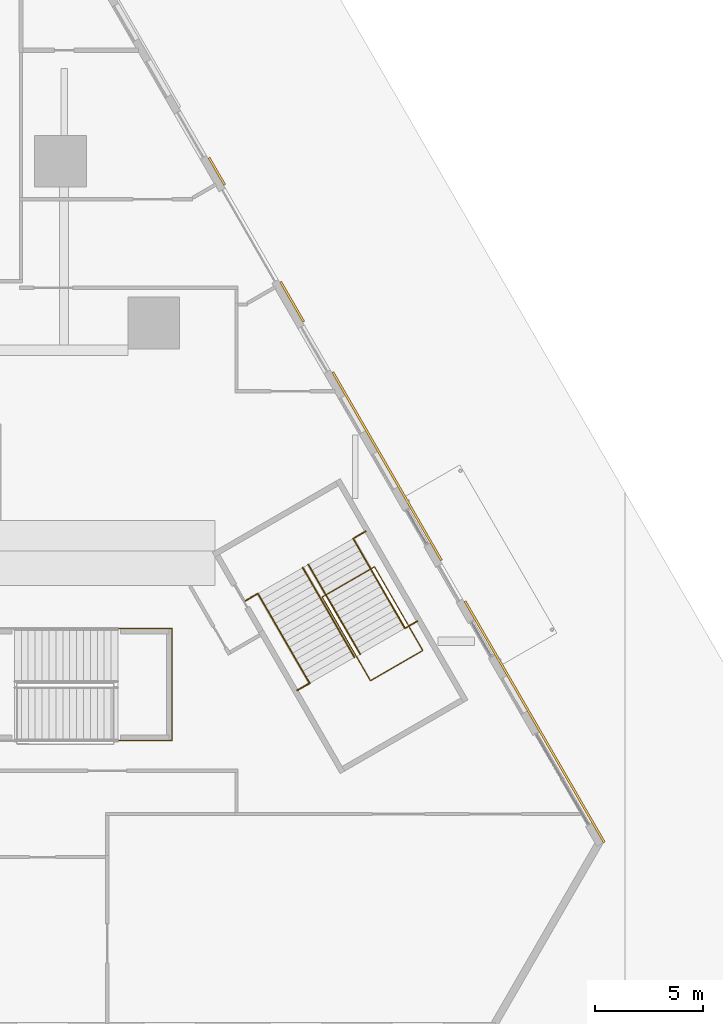
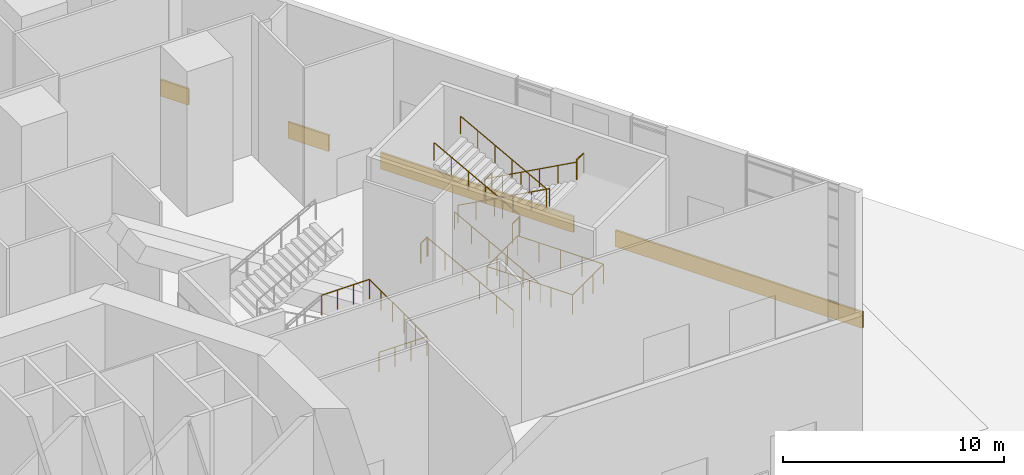
# One storey, part 22 of 24: 12 railings, 4 coverings.
"""IFC4 building model written with IfcOpenShell, lengths in metres."""

from ifc_helpers import new_model, si_unit, direction, frame, origin, origin_2d, place, context, subcontext, project, spatial, polyline, circle, outline, extrude, material, type_object, element, save


model = new_model("IFC4")

# Units and contexts
model_context = context("Model", 3, precision=1e-05, world=origin(), true_north=direction((0.0, 1.0)))
body_context = subcontext(model_context, "Body", "Model", "MODEL_VIEW")
ifc_project = project(units=[si_unit("LENGTHUNIT", "METRE"), si_unit("AREAUNIT", "SQUARE_METRE"), si_unit("VOLUMEUNIT", "CUBIC_METRE"), si_unit("PLANEANGLEUNIT", "RADIAN"), si_unit("MASSUNIT", "GRAM", prefix="KILO")], contexts=[model_context])

# Site, building, storey
site_placement = place(None, origin())
site = spatial("IfcSite", under=ifc_project, at=site_placement, CompositionType="ELEMENT")
building_placement = place(site_placement, origin())
building = spatial("IfcBuilding", under=site, at=building_placement, Name="Fogline Exchange Tower", CompositionType="ELEMENT")
storey_placement = place(building_placement, origin())
storey = spatial("IfcBuildingStorey", under=building, at=storey_placement, Name="L00", CompositionType="ELEMENT", Elevation=0.0)

# Coverings
ifc_material_1 = material(Name="Granite", Category="masonry")
covering_type = type_object("IfcCoveringType", Name="GB1", PredefinedType="CLADDING", material=ifc_material_1)
covering_1_placement = place(storey_placement, origin())
element("IfcCovering", 1, at=covering_1_placement, inside=storey, type_object=covering_type, Name="Granite base course L00 E", PredefinedType="CLADDING", context=body_context, shape_type="SweptSolid", body=[
    extrude(outline(polyline([(43.0, 8.660400390625), (43.086669921875, 8.710205078125), (36.6328125, 19.888427734375), (36.546142578125, 19.83837890625), (43.0, 8.660400390625)])), origin(), (0.0, 0.0, 1.0), 0.89990234375),
])
covering_2_placement = place(storey_placement, origin())
element("IfcCovering", 2, at=covering_2_placement, inside=storey, type_object=covering_type, Name="Granite base course L00 E", PredefinedType="CLADDING", context=body_context, shape_type="SweptSolid", body=[
    extrude(outline(polyline([(35.45361328125, 21.730712890625), (35.540283203125, 21.78076171875), (30.501220703125, 30.509033203125), (30.41455078125, 30.458984375), (35.45361328125, 21.730712890625)])), origin(), (0.0, 0.0, 1.0), 0.89990234375),
])
covering_3_placement = place(storey_placement, origin())
element("IfcCovering", 3, at=covering_3_placement, inside=storey, type_object=covering_type, Name="Granite base course L00 E", PredefinedType="CLADDING", context=body_context, shape_type="SweptSolid", body=[
    extrude(outline(polyline([(29.064453125, 32.797119140625), (29.151123046875, 32.84716796875), (28.0830078125, 34.697509765625), (27.996337890625, 34.6474609375), (29.064453125, 32.797119140625)])), origin(), (0.0, 0.0, 1.0), 0.89990234375),
])
covering_4_placement = place(storey_placement, origin())
element("IfcCovering", 4, at=covering_4_placement, inside=storey, type_object=covering_type, Name="Granite base course L00 E", PredefinedType="CLADDING", context=body_context, shape_type="SweptSolid", body=[
    extrude(outline(polyline([(25.40380859375, 39.137939453125), (25.490478515625, 39.18798828125), (24.76171875, 40.4501953125), (24.675048828125, 40.400146484375), (25.40380859375, 39.137939453125)])), origin(), (0.0, 0.0, 1.0), 0.89990234375),
])

# Railings
ifc_material_2 = material(Name="Steel Q235B", Category="steel")
railing_type_1 = type_object("IfcRailingType", Name="PG1", PredefinedType="GUARDRAIL", material=ifc_material_2)
railing_1_placement = place(storey_placement, frame((29.966796875, 20.055419921875, 0.0)))
element("IfcRailing", 5, at=railing_1_placement, inside=storey, type_object=railing_type_1, Name="Stair well guard ST5", PredefinedType="GUARDRAIL", context=body_context, shape_type="SweptSolid", body=[
    extrude(circle(Radius=0.02392578125, at=origin_2d()), frame((0.0, 0.0, 1.076171875), z_axis=(0.866034573852, 0.49998411664, 0.0), x_axis=(-0.49998411664, 0.866034573852, 0.0)), (0.0, 0.0, 1.0), 2.7998046875),
    extrude(circle(Radius=0.02392578125, at=origin_2d()), frame((2.4248046875, 1.39990234375, 1.076171875), z_axis=(0.499991453095, -0.866030338286, 0.0), x_axis=(0.866030338286, 0.499991453095, 0.0)), (0.0, 0.0, 1.0), 4.47802734375),
    extrude(circle(Radius=0.02392578125, at=origin_2d()), frame((4.663818359375, -2.478271484375, 1.076171875), z_axis=(-0.866056369097, -0.49994636267, 0.0), x_axis=(0.49994636267, -0.866056369097, 0.0)), (0.0, 0.0, 1.0), 2.800048828125),
    extrude(circle(Radius=0.02392578125, at=origin_2d()), frame((2.23876953125, -3.878173828125, 1.076171875), z_axis=(-0.499019038801, 0.866591021713, 0.0), x_axis=(-0.866591021713, -0.499019038801, 0.0)), (0.0, 0.0, 1.0), 4.47802734375),
    extrude(circle(Radius=0.02099609375, at=origin_2d()), origin(), (0.0, 0.0, 1.0), 1.052001953125),
    extrude(circle(Radius=0.02099609375, at=origin_2d()), frame((0.808349609375, 0.466552734375, 0.0)), (0.0, 0.0, 1.0), 1.052001953125),
    extrude(circle(Radius=0.02099609375, at=origin_2d()), frame((1.616455078125, 0.933349609375, 0.0)), (0.0, 0.0, 1.0), 1.052001953125),
    extrude(circle(Radius=0.02099609375, at=origin_2d()), frame((2.4248046875, 1.39990234375, 0.0)), (0.0, 0.0, 1.0), 1.052001953125),
    extrude(circle(Radius=0.02099609375, at=origin_2d()), frame((2.984619140625, 0.430419921875, 0.0)), (0.0, 0.0, 1.0), 1.052001953125),
    extrude(circle(Radius=0.02099609375, at=origin_2d()), frame((3.54443359375, -0.5390625, 0.0)), (0.0, 0.0, 1.0), 1.052001953125),
    extrude(circle(Radius=0.02099609375, at=origin_2d()), frame((4.10400390625, -1.5087890625, 0.0)), (0.0, 0.0, 1.0), 1.052001953125),
    extrude(circle(Radius=0.02099609375, at=origin_2d()), frame((4.663818359375, -2.478271484375, 0.0)), (0.0, 0.0, 1.0), 1.052001953125),
    extrude(circle(Radius=0.02099609375, at=origin_2d()), frame((3.85546875, -2.94482421875, 0.0)), (0.0, 0.0, 1.0), 1.052001953125),
    extrude(circle(Radius=0.02099609375, at=origin_2d()), frame((3.047119140625, -3.41162109375, 0.0)), (0.0, 0.0, 1.0), 1.052001953125),
    extrude(circle(Radius=0.02099609375, at=origin_2d()), frame((2.23876953125, -3.878173828125, 0.0)), (0.0, 0.0, 1.0), 1.052001953125),
    extrude(circle(Radius=0.02099609375, at=origin_2d()), frame((1.68017578125, -2.907958984375, 0.0)), (0.0, 0.0, 1.0), 1.052001953125),
    extrude(circle(Radius=0.02099609375, at=origin_2d()), frame((1.12158203125, -1.93798828125, 0.0)), (0.0, 0.0, 1.0), 1.052001953125),
    extrude(circle(Radius=0.02099609375, at=origin_2d()), frame((0.562744140625, -0.9677734375, 0.0)), (0.0, 0.0, 1.0), 1.052001953125),
    extrude(circle(Radius=0.02099609375, at=origin_2d()), frame((0.004150390625, 0.00244140625, 0.0)), (0.0, 0.0, 1.0), 1.052001953125),
])
railing_2_placement = place(storey_placement, frame((31.979248046875, 23.099609375, 2.608642578125)))
element("IfcRailing", 6, at=railing_2_placement, inside=storey, type_object=railing_type_1, Name="Landing guard ST5", PredefinedType="GUARDRAIL", context=body_context, shape_type="SweptSolid", body=[
    extrude(circle(Radius=0.02392578125, at=origin_2d()), frame((0.0, 0.0, 1.076171875), z_axis=(-0.865888002441, -0.500237910626, 0.0), x_axis=(0.500237910626, -0.865888002441, 0.0)), (0.0, 0.0, 1.0), 0.614990234375),
    extrude(circle(Radius=0.02099609375, at=origin_2d()), origin(), (0.0, 0.0, 1.0), 1.052001953125),
    extrude(circle(Radius=0.02099609375, at=origin_2d()), frame((-0.532470703125, -0.3076171875, 0.0)), (0.0, 0.0, 1.0), 1.052001953125),
])
railing_3_placement = place(storey_placement, frame((26.943359375, 20.192138671875, 2.608642578125)))
element("IfcRailing", 7, at=railing_3_placement, inside=storey, type_object=railing_type_1, Name="Landing guard ST5", PredefinedType="GUARDRAIL", context=body_context, shape_type="SweptSolid", body=[
    extrude(circle(Radius=0.02392578125, at=origin_2d()), frame((0.0, 0.0, 1.076171875), z_axis=(-0.865987299264, -0.500065993159, 0.0), x_axis=(0.500065993159, -0.865987299264, 0.0)), (0.0, 0.0, 1.0), 0.615234375),
    extrude(circle(Radius=0.02099609375, at=origin_2d()), origin(), (0.0, 0.0, 1.0), 1.052001953125),
    extrude(circle(Radius=0.02099609375, at=origin_2d()), frame((-0.53271484375, -0.3076171875, 0.0)), (0.0, 0.0, 1.0), 1.052001953125),
])
railing_4_placement = place(storey_placement, frame((34.379150390625, 18.9423828125, 5.391357421875)))
element("IfcRailing", 8, at=railing_4_placement, inside=storey, type_object=railing_type_1, Name="Landing guard ST5", PredefinedType="GUARDRAIL", context=body_context, shape_type="SweptSolid", body=[
    extrude(circle(Radius=0.02392578125, at=origin_2d()), frame((0.0, 0.0, 1.076171875), z_axis=(-0.866059952115, -0.49994015576, 0.0), x_axis=(0.49994015576, -0.866059952115, 0.0)), (0.0, 0.0, 1.0), 0.61474609375),
    extrude(circle(Radius=0.02099609375, at=origin_2d()), origin(), (0.0, 0.0, 1.0), 1.052001953125),
    extrude(circle(Radius=0.02099609375, at=origin_2d()), frame((-0.532470703125, -0.307373046875, 0.0)), (0.0, 0.0, 1.0), 1.052001953125),
])
railing_5_placement = place(storey_placement, frame((29.34326171875, 16.03515625, 5.391357421875)))
element("IfcRailing", 9, at=railing_5_placement, inside=storey, type_object=railing_type_1, Name="Landing guard ST5", PredefinedType="GUARDRAIL", context=body_context, shape_type="SweptSolid", body=[
    extrude(circle(Radius=0.02392578125, at=origin_2d()), frame((0.0, 0.0, 1.076171875), z_axis=(-0.865987299264, -0.500065993159, 0.0), x_axis=(0.500065993159, -0.865987299264, 0.0)), (0.0, 0.0, 1.0), 0.615234375),
    extrude(circle(Radius=0.02099609375, at=origin_2d()), origin(), (0.0, 0.0, 1.0), 1.052001953125),
    extrude(circle(Radius=0.02099609375, at=origin_2d()), frame((-0.53271484375, -0.3076171875, 0.0)), (0.0, 0.0, 1.0), 1.052001953125),
])
railing_6_placement = place(storey_placement, frame((20.5, 13.39990234375, 2.608642578125)))
element("IfcRailing", 10, at=railing_6_placement, inside=storey, type_object=railing_type_1, Name="Landing guard PS2", PredefinedType="GUARDRAIL", context=body_context, shape_type="SweptSolid", body=[
    extrude(circle(Radius=0.02392578125, at=origin_2d()), frame((0.0, 0.0, 1.076171875), z_axis=(1.0, 0.0, 0.0), x_axis=(0.0, 1.0, 0.0)), (0.0, 0.0, 1.0), 2.5),
    extrude(circle(Radius=0.02392578125, at=origin_2d()), frame((2.5, 0.0, 1.076171875), z_axis=(0.0, 1.0, 0.0), x_axis=(-1.0, 0.0, 0.0)), (0.0, 0.0, 1.0), 5.2001953125),
    extrude(circle(Radius=0.02392578125, at=origin_2d()), frame((2.5, 5.2001953125, 1.076171875), z_axis=(-1.0, 0.0, 0.0), x_axis=(0.0, -1.0, 0.0)), (0.0, 0.0, 1.0), 2.5),
    extrude(circle(Radius=0.02099609375, at=origin_2d()), origin(), (0.0, 0.0, 1.0), 1.052001953125),
    extrude(circle(Radius=0.02099609375, at=origin_2d()), frame((0.833251953125, 0.0, 0.0)), (0.0, 0.0, 1.0), 1.052001953125),
    extrude(circle(Radius=0.02099609375, at=origin_2d()), frame((1.666748046875, 0.0, 0.0)), (0.0, 0.0, 1.0), 1.052001953125),
    extrude(circle(Radius=0.02099609375, at=origin_2d()), frame((2.5, 0.0, 0.0)), (0.0, 0.0, 1.0), 1.052001953125),
    extrude(circle(Radius=0.02099609375, at=origin_2d()), frame((2.5, 1.0400390625, 0.0)), (0.0, 0.0, 1.0), 1.052001953125),
    extrude(circle(Radius=0.02099609375, at=origin_2d()), frame((2.5, 2.080078125, 0.0)), (0.0, 0.0, 1.0), 1.052001953125),
    extrude(circle(Radius=0.02099609375, at=origin_2d()), frame((2.5, 3.1201171875, 0.0)), (0.0, 0.0, 1.0), 1.052001953125),
    extrude(circle(Radius=0.02099609375, at=origin_2d()), frame((2.5, 4.16015625, 0.0)), (0.0, 0.0, 1.0), 1.052001953125),
    extrude(circle(Radius=0.02099609375, at=origin_2d()), frame((2.5, 5.2001953125, 0.0)), (0.0, 0.0, 1.0), 1.052001953125),
    extrude(circle(Radius=0.02099609375, at=origin_2d()), frame((1.666748046875, 5.2001953125, 0.0)), (0.0, 0.0, 1.0), 1.052001953125),
    extrude(circle(Radius=0.02099609375, at=origin_2d()), frame((0.833251953125, 5.2001953125, 0.0)), (0.0, 0.0, 1.0), 1.052001953125),
    extrude(circle(Radius=0.02099609375, at=origin_2d()), frame((0.0, 5.2001953125, 0.0)), (0.0, 0.0, 1.0), 1.052001953125),
])
railing_type_2 = type_object("IfcRailingType", Name="PH1", PredefinedType="HANDRAIL", material=ifc_material_2)
railing_7_placement = place(storey_placement, frame((31.304931640625, 17.537109375, 0.173828125)))
element("IfcRailing", 11, at=railing_7_placement, inside=storey, type_object=railing_type_2, Name="Handrail ST5", PredefinedType="HANDRAIL", context=body_context, shape_type="SweptSolid", body=[
    extrude(circle(Radius=0.02392578125, at=origin_2d()), frame((0.0, 0.0, 0.97607421875), z_axis=(-0.439264922781, 0.760932870377, 0.47752224492), x_axis=(-0.866054910533, -0.49994888933, 0.0)), (0.0, 0.0, 1.0), 5.098876953125),
    extrude(circle(Radius=0.02099609375, at=origin_2d()), origin(), (0.0, 0.0, 1.0), 0.951904296875),
    extrude(circle(Radius=0.02099609375, at=origin_2d()), frame((-0.447998046875, 0.77587890625, 0.487060546875)), (0.0, 0.0, 1.0), 0.951904296875),
    extrude(circle(Radius=0.02099609375, at=origin_2d()), frame((-0.89599609375, 1.552001953125, 0.973876953125)), (0.0, 0.0, 1.0), 0.951904296875),
    extrude(circle(Radius=0.02099609375, at=origin_2d()), frame((-1.34375, 2.327880859375, 1.4609375)), (0.0, 0.0, 1.0), 0.951904296875),
    extrude(circle(Radius=0.02099609375, at=origin_2d()), frame((-1.791748046875, 3.10400390625, 1.94775390625)), (0.0, 0.0, 1.0), 0.951904296875),
    extrude(circle(Radius=0.02099609375, at=origin_2d()), frame((-2.23974609375, 3.8798828125, 2.434814453125)), (0.0, 0.0, 1.0), 0.951904296875),
])
railing_8_placement = place(storey_placement, frame((29.2265625, 16.337158203125, 0.173828125)))
element("IfcRailing", 12, at=railing_8_placement, inside=storey, type_object=railing_type_2, Name="Handrail ST5", PredefinedType="HANDRAIL", context=body_context, shape_type="SweptSolid", body=[
    extrude(circle(Radius=0.02392578125, at=origin_2d()), frame((0.0, 0.0, 0.97607421875), z_axis=(-0.439303564155, 0.760916865563, 0.477512201124), x_axis=(-0.866031314237, -0.499989762656, 0.0)), (0.0, 0.0, 1.0), 5.098876953125),
    extrude(circle(Radius=0.02099609375, at=origin_2d()), origin(), (0.0, 0.0, 1.0), 0.951904296875),
    extrude(circle(Radius=0.02099609375, at=origin_2d()), frame((-0.447998046875, 0.77587890625, 0.487060546875)), (0.0, 0.0, 1.0), 0.951904296875),
    extrude(circle(Radius=0.02099609375, at=origin_2d()), frame((-0.89599609375, 1.552001953125, 0.973876953125)), (0.0, 0.0, 1.0), 0.951904296875),
    extrude(circle(Radius=0.02099609375, at=origin_2d()), frame((-1.343994140625, 2.327880859375, 1.4609375)), (0.0, 0.0, 1.0), 0.951904296875),
    extrude(circle(Radius=0.02099609375, at=origin_2d()), frame((-1.7919921875, 3.10400390625, 1.94775390625)), (0.0, 0.0, 1.0), 0.951904296875),
    extrude(circle(Radius=0.02099609375, at=origin_2d()), frame((-2.239990234375, 3.8798828125, 2.434814453125)), (0.0, 0.0, 1.0), 0.951904296875),
])
for number, where, name in (
    (13, (29.324951171875, 21.56689453125, 2.78271484375), "Handrail ST5"),
    (14, (31.4033203125, 22.76708984375, 2.78271484375), "Handrail ST5"),
):
    element("IfcRailing", number, at=place(storey_placement, frame(where)), inside=storey, type_object=railing_type_2, Name=name, PredefinedType="HANDRAIL", context=body_context, shape_type="SweptSolid", body=[
        extrude(circle(Radius=0.02392578125, at=origin_2d()), frame((0.0, 0.0, 0.97607421875), z_axis=(0.439296165955, -0.760925312076, 0.477505547632), x_axis=(0.866037363387, 0.499979284789, 0.0)), (0.0, 0.0, 1.0), 5.463134765625),
        extrude(circle(Radius=0.02099609375, at=origin_2d()), origin(), (0.0, 0.0, 1.0), 0.951904296875),
        extrude(circle(Radius=0.02099609375, at=origin_2d()), frame((0.47998046875, -0.831298828125, 0.521728515625)), (0.0, 0.0, 1.0), 0.951904296875),
        extrude(circle(Radius=0.02099609375, at=origin_2d()), frame((0.9599609375, -1.662841796875, 1.04345703125)), (0.0, 0.0, 1.0), 0.951904296875),
        extrude(circle(Radius=0.02099609375, at=origin_2d()), frame((1.43994140625, -2.494140625, 1.565185546875)), (0.0, 0.0, 1.0), 0.951904296875),
        extrude(circle(Radius=0.02099609375, at=origin_2d()), frame((1.919921875, -3.32568359375, 2.0869140625)), (0.0, 0.0, 1.0), 0.951904296875),
        extrude(circle(Radius=0.02099609375, at=origin_2d()), frame((2.39990234375, -4.156982421875, 2.608642578125)), (0.0, 0.0, 1.0), 0.951904296875),
    ])
for number, where, name in (
    (15, (31.465087890625, 17.260009765625, 5.565185546875), "Handrail ST5"),
    (16, (29.386474609375, 16.06005859375, 5.565185546875), "Handrail ST5"),
):
    element("IfcRailing", number, at=place(storey_placement, frame(where)), inside=storey, type_object=railing_type_2, Name=name, PredefinedType="HANDRAIL", context=body_context, shape_type="SweptSolid", body=[
        extrude(circle(Radius=0.02392578125, at=origin_2d()), frame((0.0, 0.0, 0.97607421875), z_axis=(-0.439303564155, 0.760916865563, 0.477512201124), x_axis=(-0.866031314237, -0.499989762656, 0.0)), (0.0, 0.0, 1.0), 5.098876953125),
        extrude(circle(Radius=0.02099609375, at=origin_2d()), origin(), (0.0, 0.0, 1.0), 0.951904296875),
        extrude(circle(Radius=0.02099609375, at=origin_2d()), frame((-0.447998046875, 0.77587890625, 0.487060546875)), (0.0, 0.0, 1.0), 0.951904296875),
        extrude(circle(Radius=0.02099609375, at=origin_2d()), frame((-0.89599609375, 1.552001953125, 0.973876953125)), (0.0, 0.0, 1.0), 0.951904296875),
        extrude(circle(Radius=0.02099609375, at=origin_2d()), frame((-1.343994140625, 2.327880859375, 1.4609375)), (0.0, 0.0, 1.0), 0.951904296875),
        extrude(circle(Radius=0.02099609375, at=origin_2d()), frame((-1.7919921875, 3.10400390625, 1.94775390625)), (0.0, 0.0, 1.0), 0.951904296875),
        extrude(circle(Radius=0.02099609375, at=origin_2d()), frame((-2.239990234375, 3.8798828125, 2.434814453125)), (0.0, 0.0, 1.0), 0.951904296875),
    ])

save(model, "model.ifc")
